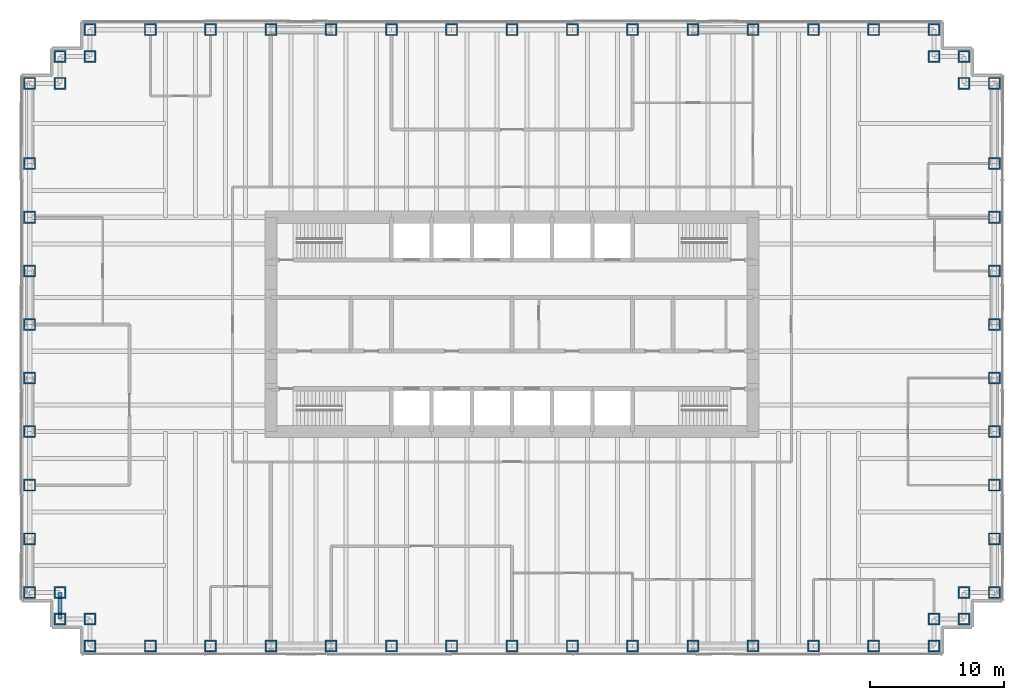
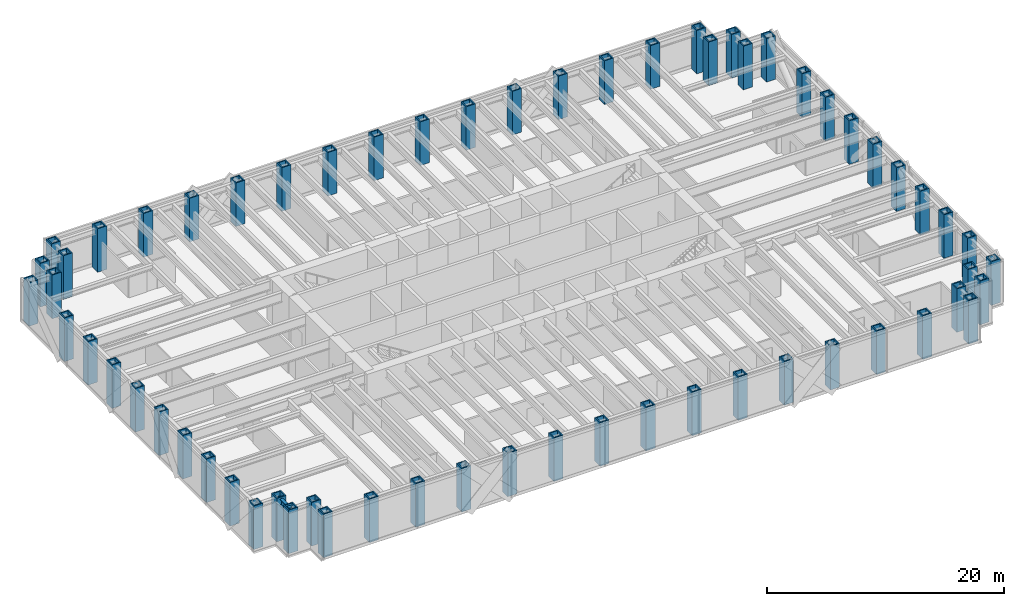
# One storey, part 1 of 13: 62 columns, 1 beam.
"""IFC4 building model written with IfcOpenShell, lengths in metres."""

from ifc_helpers import new_model, si_unit, direction, frame, origin, origin_2d, place, context, subcontext, project, spatial, hollow_rectangle, i_section, extrude, material, material_profile, profile_set, type_object, element, save


model = new_model("IFC4")

# Units and contexts
model_context = context("Model", 3, precision=1e-05, world=origin(), true_north=direction((0.0, 1.0)))
body_context = subcontext(model_context, "Body", "Model", "MODEL_VIEW")
ifc_project = project(units=[si_unit("LENGTHUNIT", "METRE"), si_unit("AREAUNIT", "SQUARE_METRE"), si_unit("VOLUMEUNIT", "CUBIC_METRE"), si_unit("PLANEANGLEUNIT", "RADIAN"), si_unit("MASSUNIT", "GRAM", prefix="KILO")], contexts=[model_context])

# Site, building, storey
site_placement = place(None, origin())
site = spatial("IfcSite", under=ifc_project, at=site_placement, CompositionType="ELEMENT")
building_placement = place(site_placement, origin())
building = spatial("IfcBuilding", under=site, at=building_placement, Name="Rheinbord Bourse Tower", CompositionType="ELEMENT")
storey_placement = place(building_placement, frame((0.0, 0.0, 77.0)))
storey = spatial("IfcBuildingStorey", under=building, at=storey_placement, Name="L16", CompositionType="ELEMENT", Elevation=77.0)

# Columns
ifc_material_1 = material(Name="Steel S460M", Category="steel")
ifc_material_profile_1 = material_profile(ifc_material_1, hollow_rectangle(XDim=0.89990234375, YDim=0.89990234375, WallThickness=0.110107421875, at=origin_2d()), Name="BOX 900x900x110")
ifc_profile_set_1 = profile_set([ifc_material_profile_1], Name="Steel S460M")
column_type = type_object("IfcColumnType", Name="TUBE COLUMN BOX 900x900x110", PredefinedType="COLUMN", material=ifc_profile_set_1)
for number, where, z_axis, x_axis, name in (
    (1, (4.5, 0.0, 0.0), (0.0, 0.0, 1.0), (0.0, 1.0, 0.0), "Column SW-E L16"),
    (2, (9.0, 0.0, 0.0), (0.0, 0.0, 1.0), (0.0, 1.0, 0.0), "Column S-9 L16"),
    (3, (13.5, 0.0, 0.0), (0.0, 0.0, 1.0), (0.0, 1.0, 0.0), "Column S-13.5 L16"),
    (4, (18.0, 0.0, 0.0), (0.0, 0.0, 1.0), (0.0, 1.0, 0.0), "Column S-18 L16"),
    (5, (22.5, 0.0, 0.0), (0.0, 0.0, 1.0), (0.0, 1.0, 0.0), "Column S-22.5 L16"),
    (6, (27.0, 0.0, 0.0), (0.0, 0.0, 1.0), (0.0, 1.0, 0.0), "Column S-27 L16"),
    (7, (31.5, 0.0, 0.0), (0.0, 0.0, 1.0), (0.0, 1.0, 0.0), "Column S-31.5 L16"),
    (8, (36.0, 0.0, 0.0), (0.0, 0.0, 1.0), (0.0, 1.0, 0.0), "Column S-36 L16"),
    (9, (40.5, 0.0, 0.0), (0.0, 0.0, 1.0), (0.0, 1.0, 0.0), "Column S-40.5 L16"),
    (10, (45.0, 0.0, 0.0), (0.0, 0.0, 1.0), (0.0, 1.0, 0.0), "Column S-45 L16"),
    (11, (49.5, 0.0, 0.0), (0.0, 0.0, 1.0), (0.0, 1.0, 0.0), "Column S-49.5 L16"),
    (12, (54.0, 0.0, 0.0), (0.0, 0.0, 1.0), (0.0, 1.0, 0.0), "Column S-54 L16"),
    (13, (58.5, 0.0, 0.0), (0.0, 0.0, 1.0), (0.0, 1.0, 0.0), "Column S-58.5 L16"),
    (14, (63.0, 0.0, 0.0), (0.0, 0.0, 1.0), (0.0, 1.0, 0.0), "Column S-63 L16"),
    (15, (67.5, 0.0, 0.0), (0.0, 0.0, 1.0), (0.0, 1.0, 0.0), "Column SE-E L16"),
    (16, (67.5, 2.0, 0.0), (0.0, 0.0, 1.0), (0.0, 1.0, 0.0), "Column SE-D L16"),
    (17, (69.75, 2.0, 0.0), (0.0, 0.0, 1.0), (1.0, 0.0, 0.0), "Column SE-C L16"),
    (18, (69.75, 4.0, 0.0), (0.0, 0.0, 1.0), (1.0, 0.0, 0.0), "Column SE-B L16"),
    (19, (72.0, 4.0, 0.0), (0.0, 0.0, 1.0), (1.0, 0.0, 0.0), "Column SE-A L16"),
    (20, (72.0, 8.0, 0.0), (0.0, 0.0, 1.0), (1.0, 0.0, 0.0), "Column E-8 L16"),
    (21, (72.0, 12.0, 0.0), (0.0, 0.0, 1.0), (1.0, 0.0, 0.0), "Column E-12 L16"),
    (22, (72.0, 16.0, 0.0), (0.0, 0.0, 1.0), (1.0, 0.0, 0.0), "Column E-16 L16"),
    (23, (72.0, 20.0, 0.0), (0.0, 0.0, 1.0), (1.0, 0.0, 0.0), "Column E-20 L16"),
    (24, (72.0, 24.0, 0.0), (0.0, 0.0, 1.0), (1.0, 0.0, 0.0), "Column E-24 L16"),
    (25, (72.0, 28.0, 0.0), (0.0, 0.0, 1.0), (1.0, 0.0, 0.0), "Column E-28 L16"),
    (26, (72.0, 32.0, 0.0), (0.0, 0.0, 1.0), (1.0, 0.0, 0.0), "Column E-32 L16"),
    (27, (72.0, 36.0, 0.0), (0.0, 0.0, 1.0), (1.0, 0.0, 0.0), "Column E-36 L16"),
    (28, (72.0, 42.0, 0.0), (0.0, 0.0, 1.0), (1.0, 0.0, 0.0), "Column NE-A L16"),
    (29, (69.75, 42.0, 0.0), (0.0, 0.0, 1.0), (1.0, 0.0, 0.0), "Column NE-B L16"),
    (30, (69.75, 44.0, 0.0), (0.0, 0.0, 1.0), (1.0, 0.0, 0.0), "Column NE-C L16"),
    (31, (67.5, 44.0, 0.0), (0.0, 0.0, 1.0), (0.0, 1.0, 0.0), "Column NE-D L16"),
    (32, (67.5, 46.0, 0.0), (0.0, 0.0, 1.0), (0.0, 1.0, 0.0), "Column NE-E L16"),
    (33, (63.0, 46.0, 0.0), (0.0, 0.0, 1.0), (0.0, 1.0, 0.0), "Column N-63 L16"),
    (34, (58.5, 46.0, 0.0), (0.0, 0.0, 1.0), (0.0, 1.0, 0.0), "Column N-58.5 L16"),
    (35, (54.0, 46.0, 0.0), (0.0, 0.0, 1.0), (0.0, 1.0, 0.0), "Column N-54 L16"),
    (36, (49.5, 46.0, 0.0), (0.0, 0.0, 1.0), (0.0, 1.0, 0.0), "Column N-49.5 L16"),
    (37, (45.0, 46.0, 0.0), (0.0, 0.0, 1.0), (0.0, 1.0, 0.0), "Column N-45 L16"),
    (38, (40.5, 46.0, 0.0), (0.0, 0.0, 1.0), (0.0, 1.0, 0.0), "Column N-40.5 L16"),
    (39, (36.0, 46.0, 0.0), (0.0, 0.0, 1.0), (0.0, 1.0, 0.0), "Column N-36 L16"),
    (40, (31.5, 46.0, 0.0), (0.0, 0.0, 1.0), (0.0, 1.0, 0.0), "Column N-31.5 L16"),
    (41, (27.0, 46.0, 0.0), (0.0, 0.0, 1.0), (0.0, 1.0, 0.0), "Column N-27 L16"),
    (42, (22.5, 46.0, 0.0), (0.0, 0.0, 1.0), (0.0, 1.0, 0.0), "Column N-22.5 L16"),
    (43, (18.0, 46.0, 0.0), (0.0, 0.0, 1.0), (0.0, 1.0, 0.0), "Column N-18 L16"),
    (44, (13.5, 46.0, 0.0), (0.0, 0.0, 1.0), (0.0, 1.0, 0.0), "Column N-13.5 L16"),
    (45, (9.0, 46.0, 0.0), (0.0, 0.0, 1.0), (0.0, 1.0, 0.0), "Column N-9 L16"),
    (46, (4.5, 46.0, 0.0), (0.0, 0.0, 1.0), (0.0, 1.0, 0.0), "Column NW-E L16"),
    (47, (4.5, 44.0, 0.0), (0.0, 0.0, 1.0), (0.0, 1.0, 0.0), "Column NW-D L16"),
    (48, (2.25, 44.0, 0.0), (0.0, 0.0, 1.0), (1.0, 0.0, 0.0), "Column NW-C L16"),
    (49, (2.25, 42.0, 0.0), (0.0, 0.0, 1.0), (1.0, 0.0, 0.0), "Column NW-B L16"),
    (50, (0.0, 42.0, 0.0), (0.0, 0.0, 1.0), (1.0, 0.0, 0.0), "Column NW-A L16"),
    (51, (0.0, 36.0, 0.0), (0.0, 0.0, 1.0), (1.0, 0.0, 0.0), "Column W-36 L16"),
    (52, (0.0, 32.0, 0.0), (0.0, 0.0, 1.0), (1.0, 0.0, 0.0), "Column W-32 L16"),
    (53, (0.0, 28.0, 0.0), (0.0, 0.0, 1.0), (1.0, 0.0, 0.0), "Column W-28 L16"),
    (54, (0.0, 24.0, 0.0), (0.0, 0.0, 1.0), (1.0, 0.0, 0.0), "Column W-24 L16"),
    (55, (0.0, 20.0, 0.0), (0.0, 0.0, 1.0), (1.0, 0.0, 0.0), "Column W-20 L16"),
    (56, (0.0, 16.0, 0.0), (0.0, 0.0, 1.0), (1.0, 0.0, 0.0), "Column W-16 L16"),
    (57, (0.0, 12.0, 0.0), (0.0, 0.0, 1.0), (1.0, 0.0, 0.0), "Column W-12 L16"),
    (58, (0.0, 8.0, 0.0), (0.0, 0.0, 1.0), (1.0, 0.0, 0.0), "Column W-8 L16"),
    (59, (0.0, 4.0, 0.0), (0.0, 0.0, 1.0), (1.0, 0.0, 0.0), "Column SW-A L16"),
    (60, (2.25, 4.0, 0.0), (0.0, 0.0, 1.0), (1.0, 0.0, 0.0), "Column SW-B L16"),
    (61, (2.25, 2.0, 0.0), (0.0, 0.0, 1.0), (1.0, 0.0, 0.0), "Column SW-C L16"),
    (62, (4.5, 2.0, 0.0), (0.0, 0.0, 1.0), (0.0, 1.0, 0.0), "Column SW-D L16"),
):
    element("IfcColumn", number, at=place(storey_placement, frame(where, z_axis=z_axis, x_axis=x_axis)), inside=storey, type_object=column_type, Name=name, PredefinedType="COLUMN", context=body_context, shape_type="SweptSolid", body=[
        extrude(hollow_rectangle(XDim=0.89990234375, YDim=0.89990234375, WallThickness=0.110107421875, at=origin_2d()), origin(), (0.0, 0.0, 1.0), 4.5),
    ])

# Beam
ifc_material_2 = material(Name="Steel S460", Category="steel")
ifc_material_profile_2 = material_profile(ifc_material_2, i_section(OverallWidth=0.304931640625, OverallDepth=0.6201171875, WebThickness=0.02099609375, FlangeThickness=0.0400390625, at=origin_2d()), Name="HEM 600")
ifc_profile_set_2 = profile_set([ifc_material_profile_2], Name="Steel S460")
beam_type = type_object("IfcBeamType", Name="SPANDREL HEM 600", PredefinedType="SPANDREL", material=ifc_profile_set_2)
beam_placement = place(storey_placement, frame((2.25, 4.0, 4.010009765625), z_axis=(0.0, -1.0, 0.0), x_axis=(1.0, 0.0, 0.0)))
element("IfcBeam", 63, at=beam_placement, inside=storey, type_object=beam_type, Name="Spandrel SW-B-SW-C under L17", PredefinedType="SPANDREL", context=body_context, shape_type="SweptSolid", body=[
    extrude(i_section(OverallWidth=0.304931640625, OverallDepth=0.6201171875, WebThickness=0.02099609375, FlangeThickness=0.0400390625, at=origin_2d()), origin(), (0.0, 0.0, 1.0), 2.0),
])

save(model, "model.ifc")
